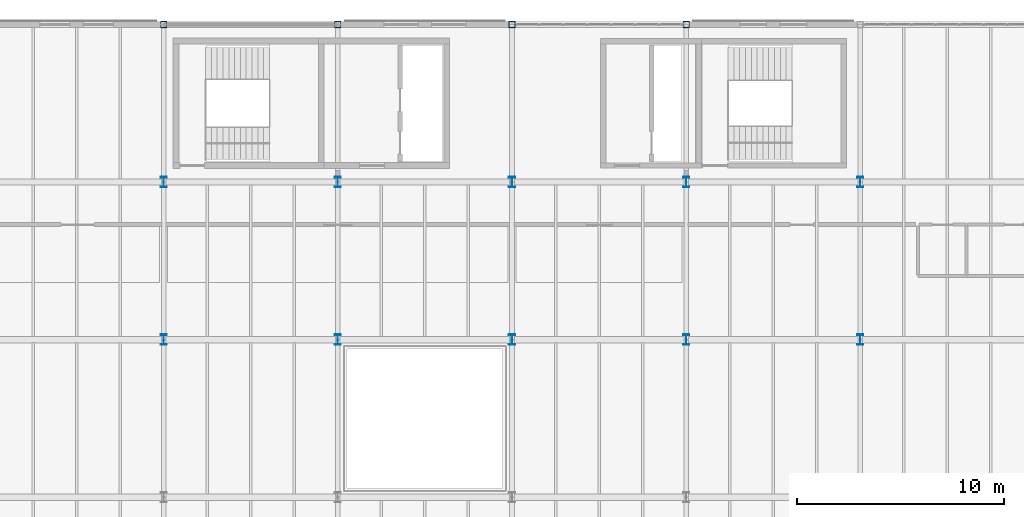
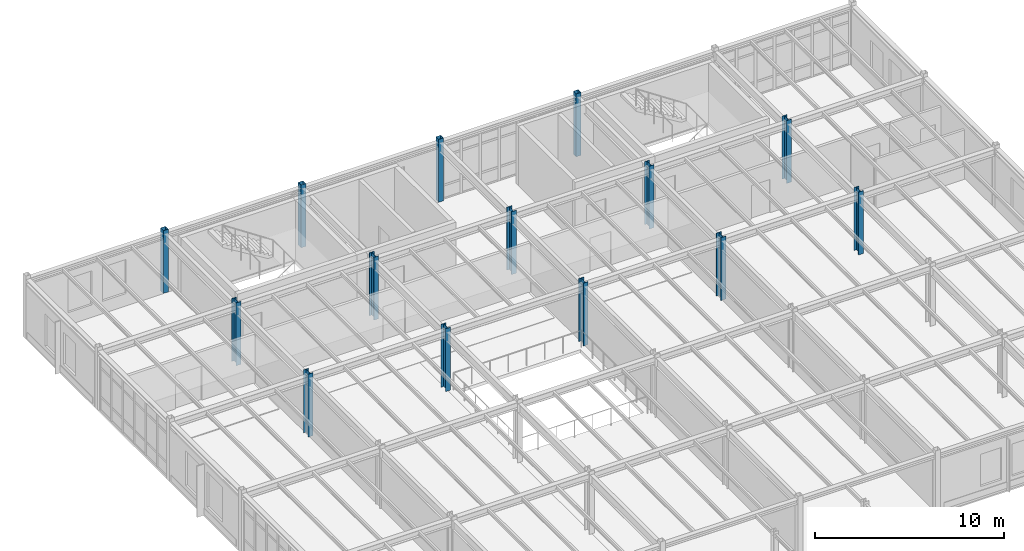
# One storey, part 15 of 165: 14 columns.
"""IFC4 building model written with IfcOpenShell, lengths in metres."""

from ifc_helpers import new_model, si_unit, direction, frame, origin, origin_2d, place, context, subcontext, project, spatial, hollow_rectangle, i_section, extrude, material, material_profile, profile_set, type_object, element, save


model = new_model("IFC4")

# Units and contexts
model_context = context("Model", 3, precision=1e-05, world=origin(), true_north=direction((0.0, 1.0)))
body_context = subcontext(model_context, "Body", "Model", "MODEL_VIEW")
ifc_project = project(units=[si_unit("LENGTHUNIT", "METRE"), si_unit("AREAUNIT", "SQUARE_METRE"), si_unit("VOLUMEUNIT", "CUBIC_METRE"), si_unit("PLANEANGLEUNIT", "RADIAN"), si_unit("MASSUNIT", "GRAM", prefix="KILO")], contexts=[model_context])

# Site, building, storey
site_placement = place(None, origin())
site = spatial("IfcSite", under=ifc_project, at=site_placement, CompositionType="ELEMENT")
building_placement = place(site_placement, origin())
building = spatial("IfcBuilding", under=site, at=building_placement, Name="Montecoro Central Library", CompositionType="ELEMENT")
storey_placement = place(building_placement, frame((0.0, 0.0, 5.10009765625)))
storey = spatial("IfcBuildingStorey", under=building, at=storey_placement, Name="L01", CompositionType="ELEMENT", Elevation=5.10009765625)

# Columns
ifc_material_1 = material(Name="Steel S355J2", Category="steel")
ifc_material_profile_1 = material_profile(ifc_material_1, i_section(OverallWidth=0.300048828125, OverallDepth=0.5, WebThickness=0.014404296875, FlangeThickness=0.028076171875, at=origin_2d()), Name="HEB 500")
ifc_profile_set_1 = profile_set([ifc_material_profile_1], Name="Steel S355J2")
column_type_1 = type_object("IfcColumnType", Name="COL-HEB500", PredefinedType="COLUMN", material=ifc_profile_set_1)
for number, where, z_axis, x_axis, name in (
    (1, (74.800048828125, 103.800048828125, 0.0), (0.0, 0.0, 1.0), (1.0, 0.0, 0.0), "V2-L01-COL-10-P"),
    (2, (74.800048828125, 111.39990234375, 0.0), (0.0, 0.0, 1.0), (1.0, 0.0, 0.0), "V2-L01-COL-10-Q"),
    (3, (83.199951171875, 103.800048828125, 0.0), (0.0, 0.0, 1.0), (1.0, 0.0, 0.0), "V2-L01-COL-11-P"),
    (4, (83.199951171875, 111.39990234375, 0.0), (0.0, 0.0, 1.0), (1.0, 0.0, 0.0), "V2-L01-COL-11-Q"),
    (5, (91.60009765625, 103.800048828125, 0.0), (0.0, 0.0, 1.0), (1.0, 0.0, 0.0), "V2-L01-COL-12-P"),
    (6, (91.60009765625, 111.39990234375, 0.0), (0.0, 0.0, 1.0), (1.0, 0.0, 0.0), "V2-L01-COL-12-Q"),
    (7, (100.0, 103.800048828125, 0.0), (0.0, 0.0, 1.0), (1.0, 0.0, 0.0), "V2-L01-COL-13-P"),
    (8, (100.0, 111.39990234375, 0.0), (0.0, 0.0, 1.0), (1.0, 0.0, 0.0), "V2-L01-COL-13-Q"),
    (9, (108.39990234375, 103.800048828125, 0.0), (0.0, 0.0, 1.0), (1.0, 0.0, 0.0), "V2-L01-COL-14-P"),
    (10, (108.39990234375, 111.39990234375, 0.0), (0.0, 0.0, 1.0), (1.0, 0.0, 0.0), "V2-L01-COL-14-Q"),
):
    element("IfcColumn", number, at=place(storey_placement, frame(where, z_axis=z_axis, x_axis=x_axis)), inside=storey, type_object=column_type_1, Name=name, PredefinedType="COLUMN", context=body_context, shape_type="SweptSolid", body=[
        extrude(i_section(OverallWidth=0.300048828125, OverallDepth=0.5, WebThickness=0.014404296875, FlangeThickness=0.028076171875, at=origin_2d()), origin(), (0.0, 0.0, 1.0), 4.054931640625),
    ])
ifc_material_2 = material(Name="Steel S355", Category="steel")
ifc_material_profile_2 = material_profile(ifc_material_2, hollow_rectangle(XDim=0.300048828125, YDim=0.300048828125, WallThickness=0.012451171875, at=origin_2d()), Name="SHS 300x300x12.5")
ifc_profile_set_2 = profile_set([ifc_material_profile_2], Name="Steel S355")
column_type_2 = type_object("IfcColumnType", Name="COL-SHS300", PredefinedType="COLUMN", material=ifc_profile_set_2)
for number, where, z_axis, x_axis, name in (
    (11, (74.800048828125, 119.0, 0.0), (0.0, 0.0, 1.0), (1.0, 0.0, 0.0), "V2-L01-COL-10-R"),
    (12, (83.199951171875, 119.0, 0.0), (0.0, 0.0, 1.0), (1.0, 0.0, 0.0), "V2-L01-COL-11-R"),
    (13, (91.60009765625, 119.0, 0.0), (0.0, 0.0, 1.0), (1.0, 0.0, 0.0), "V2-L01-COL-12-R"),
    (14, (100.0, 119.0, 0.0), (0.0, 0.0, 1.0), (1.0, 0.0, 0.0), "V2-L01-COL-13-R"),
):
    element("IfcColumn", number, at=place(storey_placement, frame(where, z_axis=z_axis, x_axis=x_axis)), inside=storey, type_object=column_type_2, Name=name, PredefinedType="COLUMN", context=body_context, shape_type="SweptSolid", body=[
        extrude(hollow_rectangle(XDim=0.300048828125, YDim=0.300048828125, WallThickness=0.012451171875, at=origin_2d()), origin(), (0.0, 0.0, 1.0), 4.054931640625),
    ])

save(model, "model.ifc")
